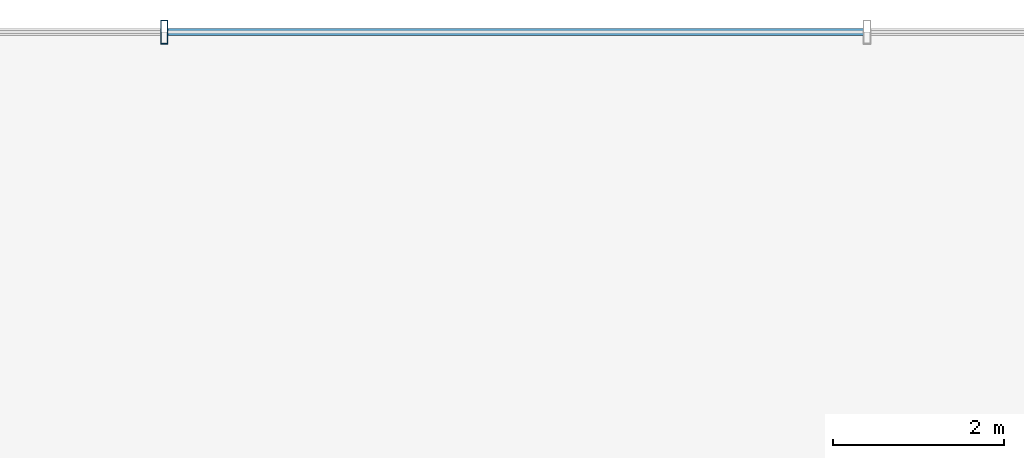
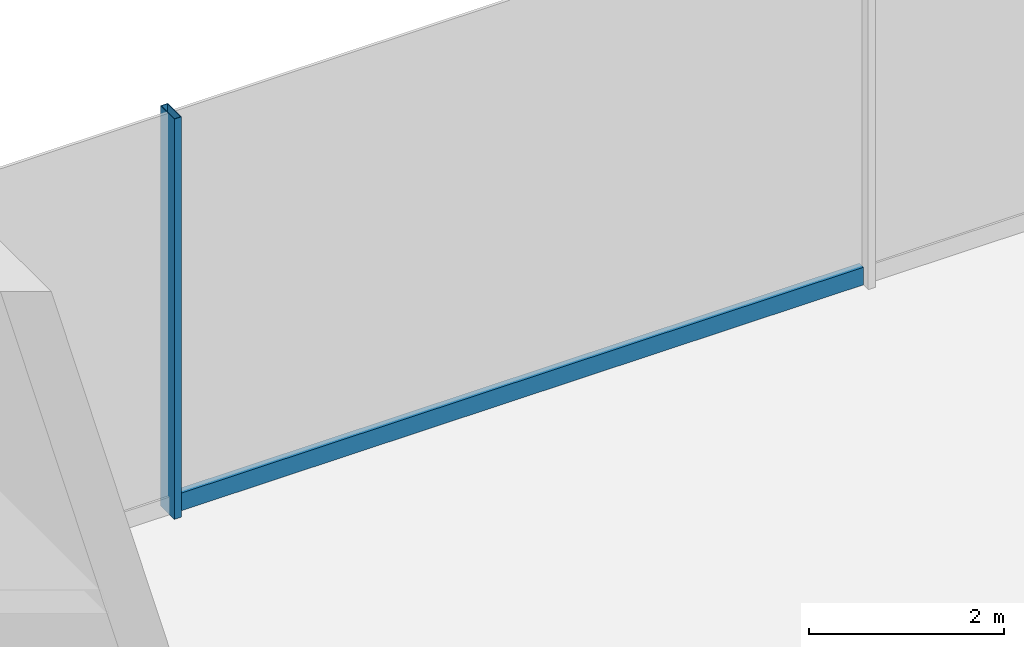
# One storey, part 18 of 39: 2 members, 1 element without a shape of its own.
"""IFC4 building model written with IfcOpenShell, lengths in metres."""

from ifc_helpers import new_model, si_unit, derived_unit, direction, frame, origin, origin_2d, place, context, subcontext, project, spatial, hollow_rectangle, extrude, source, transform, mapped, material, material_profile, profile_set, type_object, element, aggregate, save


model = new_model("IFC4")

# Units and contexts
model_context = context("Model", 3, precision=1e-05, world=origin(), true_north=direction((0.0, 1.0)))
body_context = subcontext(model_context, "Body", "Model", "MODEL_VIEW")
ifc_project = project(units=[si_unit("LENGTHUNIT", "METRE"), si_unit("AREAUNIT", "SQUARE_METRE"), si_unit("VOLUMEUNIT", "CUBIC_METRE"), si_unit("PLANEANGLEUNIT", "RADIAN"), si_unit("MASSUNIT", "GRAM", prefix="KILO"), derived_unit("THERMALTRANSMITTANCEUNIT", [(si_unit("POWERUNIT", "WATT"), 1), (si_unit("LENGTHUNIT", "METRE"), -2), (si_unit("THERMODYNAMICTEMPERATUREUNIT", "KELVIN"), -1)])], contexts=[model_context])

# Site, building, storey
site_placement = place(None, origin())
site = spatial("IfcSite", under=ifc_project, at=site_placement, CompositionType="ELEMENT")
building_placement = place(site_placement, origin())
building = spatial("IfcBuilding", under=site, at=building_placement, Name="Skarnbrae Concourse Arena and Tower", CompositionType="ELEMENT")
storey_placement = place(building_placement, frame((0.0, 0.0, 16.0)))
storey = spatial("IfcBuildingStorey", under=building, at=storey_placement, Name="L03", CompositionType="ELEMENT", Elevation=16.0)

# Curtain wall, members
ifc_material = material(Name="Bronze anodised aluminium 6063-T6", Category="aluminium")
curtain_wall_type = type_object("IfcCurtainWallType", Name="CW-SYS-01-PODIUM", PredefinedType="USERDEFINED", material=ifc_material)
curtain_wall_placement = place(storey_placement, origin())
curtain_wall = element("IfcCurtainWall", 1, at=curtain_wall_placement, inside=storey, type_object=curtain_wall_type, Name="L03 Unitised curtain wall CW-L03-N", ObjectType="UNITISED CURTAIN WALL", PredefinedType="USERDEFINED")
ifc_material_profile_1 = material_profile(ifc_material, hollow_rectangle(XDim=0.0849609375, YDim=0.280029296875, WallThickness=0.006103515625, at=origin_2d()), Name="ALU-MULL-85X280")
ifc_profile_set_1 = profile_set([ifc_material_profile_1], Name="Bronze anodised aluminium 6063-T6")
member_type_1 = type_object("IfcMemberType", Name="CWM-CW-01", PredefinedType="MULLION", material=ifc_profile_set_1)
shared_shape_1 = source(origin(), body_context, "Body", "SweptSolid", [
    extrude(hollow_rectangle(XDim=0.0849609375, YDim=0.280029296875, WallThickness=0.006103515625, at=origin_2d()), origin(), (0.0, 0.0, 1.0), 5.0),
])
member_1_placement = place(storey_placement, frame((57.39990234375, 56.0, 0.0), z_axis=(0.0, 0.0, 1.0), x_axis=(-1.0, 0.0, 0.0)))
member_1 = element("IfcMember", 2, at=member_1_placement, type_object=member_type_1, Name="CW-L03-N Mullion 4", PredefinedType="MULLION", context=body_context, shape_type="MappedRepresentation", body=[
    mapped(shared_shape_1, transform((0.0, 0.0, 0.0))),
])
ifc_material_profile_2 = material_profile(ifc_material, hollow_rectangle(XDim=0.0849609375, YDim=0.219970703125, WallThickness=0.006103515625, at=origin_2d()), Name="ALU-TRAN-85X220")
ifc_profile_set_2 = profile_set([ifc_material_profile_2], Name="Bronze anodised aluminium 6063-T6")
member_type_2 = type_object("IfcMemberType", Name="CWT-CW-01", PredefinedType="USERDEFINED", material=ifc_profile_set_2)
shared_shape_2 = source(origin(), body_context, "Body", "SweptSolid", [
    extrude(hollow_rectangle(XDim=0.0849609375, YDim=0.219970703125, WallThickness=0.006103515625, at=origin_2d()), origin(), (0.0, 0.0, 1.0), 8.115234375),
])
member_2_placement = place(storey_placement, frame((65.5576171875, 56.0, 0.110107421875), z_axis=(-1.0, 0.0, 0.0), x_axis=(0.0, -1.0, 0.0)))
member_2 = element("IfcMember", 3, at=member_2_placement, type_object=member_type_2, Name="CW-L03-N Transom 3", ObjectType="TRANSOM", PredefinedType="USERDEFINED", context=body_context, shape_type="MappedRepresentation", body=[
    mapped(shared_shape_2, transform((0.0, 0.0, 0.0))),
])
aggregate(curtain_wall, [member_1, member_2])

save(model, "model.ifc")
